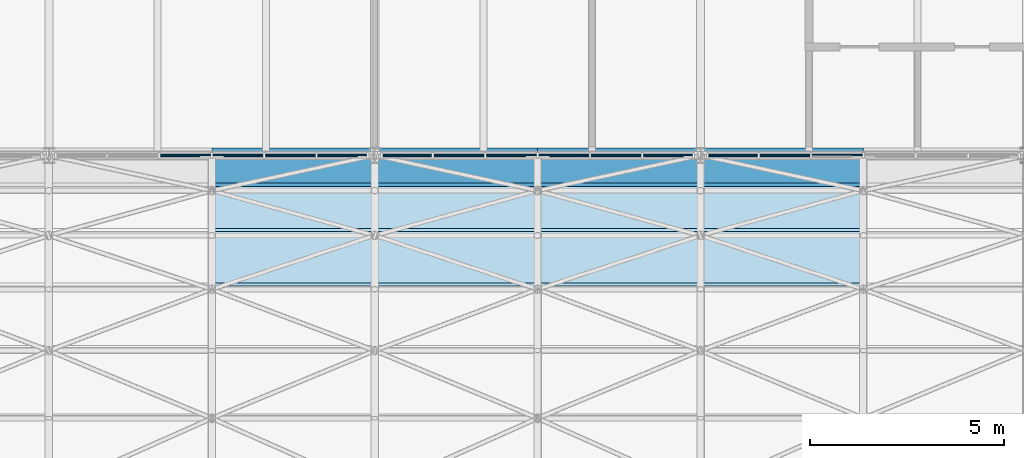
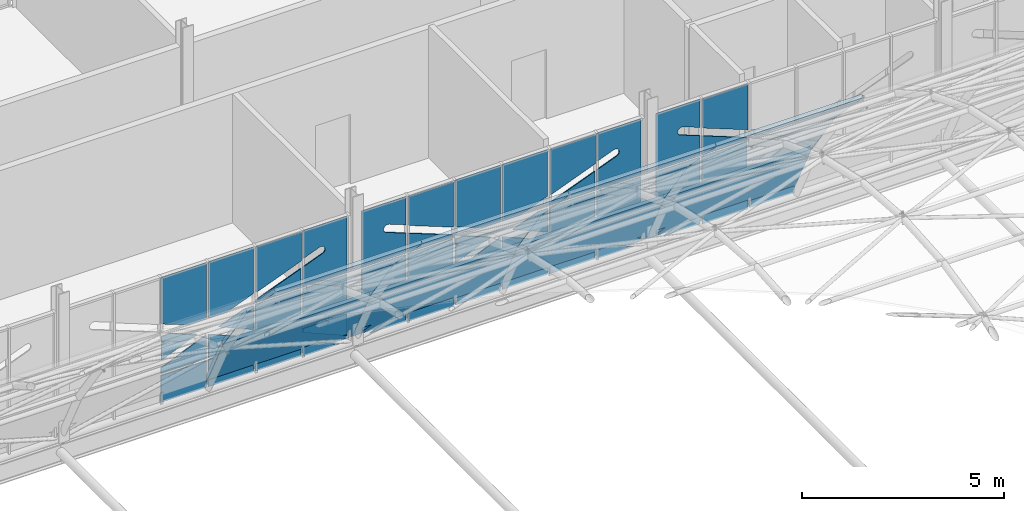
# One storey, part 74 of 121: 61 plates, 3 elements without a shape of their own.
"""IFC4 building model written with IfcOpenShell, lengths in metres."""

from ifc_helpers import new_model, si_unit, direction, frame, origin, place, context, subcontext, project, spatial, polyline, outline, extrude, material, layer, layer_set, type_object, element, aggregate, save


model = new_model("IFC4")

# Units and contexts
model_context = context("Model", 3, precision=1e-05, world=origin(), true_north=direction((0.0, 1.0)))
body_context = subcontext(model_context, "Body", "Model", "MODEL_VIEW")
ifc_project = project(units=[si_unit("LENGTHUNIT", "METRE"), si_unit("AREAUNIT", "SQUARE_METRE"), si_unit("VOLUMEUNIT", "CUBIC_METRE"), si_unit("PLANEANGLEUNIT", "RADIAN"), si_unit("MASSUNIT", "GRAM", prefix="KILO")], contexts=[model_context])

# Site, building, storey
site_placement = place(None, origin())
site = spatial("IfcSite", under=ifc_project, at=site_placement, CompositionType="ELEMENT")
building_placement = place(site_placement, origin())
building = spatial("IfcBuilding", under=site, at=building_placement, Name="Ardhachandra Cancer Care Centre", CompositionType="ELEMENT")
storey_placement = place(building_placement, frame((0.0, 0.0, 9.0)))
storey = spatial("IfcBuildingStorey", under=building, at=storey_placement, Name="L02", CompositionType="ELEMENT", Elevation=9.0)

# Curtain wall, plates
ifc_material_1 = material(Name="Aluminium extrusion", Category="aluminium")
ifc_layer_1 = layer(ifc_material_1, 0.14990234375)
ifc_layer_set_1 = layer_set([ifc_layer_1], Name="Aluminium extrusion")
curtain_wall_type = type_object("IfcCurtainWallType", Name="Curtain wall run", PredefinedType="NOTDEFINED", material=ifc_layer_set_1)
curtain_wall_1_placement = place(storey_placement, origin())
curtain_wall_1 = element("IfcCurtainWall", 1, at=curtain_wall_1_placement, inside=storey, type_object=curtain_wall_type, Name="Curtain wall L02 s/0052800_0079800", PredefinedType="NOTDEFINED")
ifc_material_2 = material(Name="Low-iron double-glazed unit")
ifc_layer_2 = layer(ifc_material_2, 0.028076171875)
ifc_layer_set_2 = layer_set([ifc_layer_2], Name="Low-iron double-glazed unit")
plate_type_1 = type_object("IfcPlateType", Name="Curtain wall glazing 28", PredefinedType="CURTAIN_PANEL", material=ifc_layer_set_2)
plate_1_placement = place(storey_placement, frame((55.679931640625, 79.800048828125, 0.06005859375), z_axis=(0.0, 1.0, 0.0), x_axis=(0.0, 0.0, 1.0)))
plate_1 = element("IfcPlate", 2, at=plate_1_placement, type_object=plate_type_1, Name="CW panel 3.1", PredefinedType="CURTAIN_PANEL", context=body_context, shape_type="SweptSolid", body=[
    extrude(outline(polyline([(0.0, 0.0), (0.81005859375, 0.0), (0.81005859375, 1.2900390625), (0.0, 1.2900390625), (0.0, 0.0)])), origin(), (0.0, 0.0, 1.0), 0.028076171875),
])
plate_2_placement = place(storey_placement, frame((56.969970703125, 79.800048828125, 0.929931640625), z_axis=(0.0, 1.0, 0.0), x_axis=(-1.0, 0.0, 0.0)))
plate_2 = element("IfcPlate", 3, at=plate_2_placement, type_object=plate_type_1, Name="CW panel 3.2", PredefinedType="CURTAIN_PANEL", context=body_context, shape_type="SweptSolid", body=[
    extrude(outline(polyline([(0.0, 0.0), (1.2900390625, 0.0), (1.2900390625, 0.16943359375), (0.0, 0.718994140625), (0.0, 0.0)])), origin(), (0.0, 0.0, 1.0), 0.028076171875),
])
plate_3_placement = place(storey_placement, frame((55.679931640625, 79.800048828125, 2.070068359375), z_axis=(0.0, 1.0, 0.0), x_axis=(1.0, 0.0, 0.0)))
plate_3 = element("IfcPlate", 4, at=plate_3_placement, type_object=plate_type_1, Name="CW panel 3.2", PredefinedType="CURTAIN_PANEL", context=body_context, shape_type="SweptSolid", body=[
    extrude(outline(polyline([(0.0, 0.0), (0.2763671875, 0.0), (1.009765625, 0.285888671875), (0.0, 0.716064453125), (0.0, 0.0)])), frame((0.0, 0.0, -0.028076171875)), (0.0, 0.0, 1.0), 0.028076171875),
])
plate_4_placement = place(storey_placement, frame((55.679931640625, 79.800048828125, 3.825927734375), z_axis=(0.0, 1.0, 0.0), x_axis=(1.0, 0.0, 0.0)))
plate_4 = element("IfcPlate", 5, at=plate_4_placement, type_object=plate_type_1, Name="CW panel 3.3", PredefinedType="CURTAIN_PANEL", context=body_context, shape_type="SweptSolid", body=[
    extrude(outline(polyline([(0.0, 0.0), (1.2900390625, 0.0), (1.2900390625, 1.696044921875), (0.767578125, 1.696044921875), (0.0, 1.396728515625), (0.0, 0.0)])), origin(), (0.0, 0.0, 1.0), 0.028076171875),
])
plate_5_placement = place(storey_placement, frame((57.030029296875, 79.800048828125, 0.06005859375), z_axis=(0.0, 1.0, 0.0), x_axis=(0.0, 0.0, 1.0)))
plate_5 = element("IfcPlate", 6, at=plate_5_placement, type_object=plate_type_1, Name="CW panel 4.1", PredefinedType="CURTAIN_PANEL", context=body_context, shape_type="SweptSolid", body=[
    extrude(outline(polyline([(0.0, 0.0), (0.81005859375, 0.0), (0.81005859375, 1.2900390625), (0.0, 1.2900390625), (0.0, 0.0)])), origin(), (0.0, 0.0, 1.0), 0.028076171875),
])
plate_6_placement = place(storey_placement, frame((58.320068359375, 79.800048828125, 0.929931640625), z_axis=(0.0, 1.0, 0.0), x_axis=(-1.0, 0.0, 0.0)))
plate_6 = element("IfcPlate", 7, at=plate_6_placement, type_object=plate_type_1, Name="CW panel 4.2", PredefinedType="CURTAIN_PANEL", context=body_context, shape_type="SweptSolid", body=[
    extrude(outline(polyline([(0.0, 0.0), (1.2900390625, 0.0), (1.2900390625, 0.718994140625), (0.0, 0.16943359375), (0.0, 0.0)])), origin(), (0.0, 0.0, 1.0), 0.028076171875),
])
plate_7_placement = place(storey_placement, frame((58.320068359375, 79.800048828125, 2.070068359375), z_axis=(0.0, 1.0, 0.0), x_axis=(0.0, 0.0, -1.0)))
plate_7 = element("IfcPlate", 8, at=plate_7_placement, type_object=plate_type_1, Name="CW panel 4.2", PredefinedType="CURTAIN_PANEL", context=body_context, shape_type="SweptSolid", body=[
    extrude(outline(polyline([(0.0, 0.0), (0.716064453125, 0.0), (0.285888671875, 1.009765625), (0.0, 0.2763671875), (0.0, 0.0)])), frame((0.0, 0.0, -0.028076171875)), (0.0, 0.0, 1.0), 0.028076171875),
])
plate_8_placement = place(storey_placement, frame((57.030029296875, 79.800048828125, 2.1298828125), z_axis=(0.0, 1.0, 0.0), x_axis=(0.0, 0.0, 1.0)))
plate_8 = element("IfcPlate", 9, at=plate_8_placement, type_object=plate_type_1, Name="CW panel 4.3", PredefinedType="CURTAIN_PANEL", context=body_context, shape_type="SweptSolid", body=[
    extrude(outline(polyline([(0.0, 0.0), (1.696044921875, 0.0), (1.696044921875, 1.2900390625), (0.29931640625, 1.2900390625), (0.0, 0.5224609375), (0.0, 0.0)])), origin(), (0.0, 0.0, 1.0), 0.028076171875),
])
plate_9_placement = place(storey_placement, frame((59.669921875, 79.800048828125, 0.06005859375), z_axis=(0.0, 1.0, 0.0), x_axis=(-1.0, 0.0, 0.0)))
plate_9 = element("IfcPlate", 10, at=plate_9_placement, type_object=plate_type_1, Name="CW panel 5.1", PredefinedType="CURTAIN_PANEL", context=body_context, shape_type="SweptSolid", body=[
    extrude(outline(polyline([(0.0, 0.0), (1.2900390625, 0.0), (1.2900390625, 0.81005859375), (0.8115234375, 0.81005859375), (0.0, 0.46435546875), (0.0, 0.0)])), origin(), (0.0, 0.0, 1.0), 0.028076171875),
])
plate_10_placement = place(storey_placement, frame((58.3798828125, 79.800048828125, 2.070068359375), z_axis=(0.0, 1.0, 0.0), x_axis=(1.0, 0.0, 0.0)))
plate_10 = element("IfcPlate", 11, at=plate_10_placement, type_object=plate_type_1, Name="CW panel 5.2", PredefinedType="CURTAIN_PANEL", context=body_context, shape_type="SweptSolid", body=[
    extrude(outline(polyline([(0.0, 0.0), (1.2900390625, 0.0), (1.2900390625, 1.14013671875), (0.935546875, 1.14013671875), (0.0, 0.74169921875), (0.0, 0.0)])), origin(), (0.0, 0.0, 1.0), 0.028076171875),
])
plate_11_placement = place(storey_placement, frame((59.669921875, 79.800048828125, 2.1298828125), z_axis=(0.0, 1.0, 0.0), x_axis=(-1.0, 0.0, 0.0)))
plate_11 = element("IfcPlate", 12, at=plate_11_placement, type_object=plate_type_1, Name="CW panel 5.3", PredefinedType="CURTAIN_PANEL", context=body_context, shape_type="SweptSolid", body=[
    extrude(outline(polyline([(0.0, 0.0), (1.2900390625, 0.0), (1.2900390625, 0.0712890625), (0.0, 0.573974609375), (0.0, 0.0)])), origin(), (0.0, 0.0, 1.0), 0.028076171875),
])
plate_12_placement = place(storey_placement, frame((58.3798828125, 79.800048828125, 3.825927734375), z_axis=(0.0, 1.0, 0.0), x_axis=(1.0, 0.0, 0.0)))
plate_12 = element("IfcPlate", 13, at=plate_12_placement, type_object=plate_type_1, Name="CW panel 5.3", PredefinedType="CURTAIN_PANEL", context=body_context, shape_type="SweptSolid", body=[
    extrude(outline(polyline([(0.0, 0.0), (1.2900390625, 0.0), (1.2900390625, 0.87060546875), (0.0, 1.373291015625), (0.0, 0.0)])), frame((0.0, 0.0, -0.028076171875)), (0.0, 0.0, 1.0), 0.028076171875),
])
plate_13_placement = place(storey_placement, frame((59.72998046875, 79.800048828125, 0.8701171875), z_axis=(0.0, 1.0, 0.0), x_axis=(1.0, 0.0, 0.0)))
plate_13 = element("IfcPlate", 14, at=plate_13_placement, type_object=plate_type_1, Name="CW panel 6.1", PredefinedType="CURTAIN_PANEL", context=body_context, shape_type="SweptSolid", body=[
    extrude(outline(polyline([(0.0, 0.0), (1.260009765625, 0.0), (1.260009765625, 0.6533203125), (0.0, 0.11669921875), (0.0, 0.0)])), origin(), (0.0, 0.0, 1.0), 0.028076171875),
])
plate_14_placement = place(storey_placement, frame((59.72998046875, 79.800048828125, 0.06005859375), z_axis=(0.0, 1.0, 0.0), x_axis=(0.0, 0.0, 1.0)))
plate_14 = element("IfcPlate", 15, at=plate_14_placement, type_object=plate_type_1, Name="CW panel 6.1", PredefinedType="CURTAIN_PANEL", context=body_context, shape_type="SweptSolid", body=[
    extrude(outline(polyline([(0.0, 0.0), (0.438720703125, 0.0), (0.0, 1.0302734375), (0.0, 0.0)])), frame((0.0, 0.0, -0.028076171875)), (0.0, 0.0, 1.0), 0.028076171875),
])
plate_15_placement = place(storey_placement, frame((59.72998046875, 79.800048828125, 0.929931640625), z_axis=(0.0, 1.0, 0.0), x_axis=(0.0, 0.0, 1.0)))
plate_15 = element("IfcPlate", 16, at=plate_15_placement, type_object=plate_type_1, Name="CW panel 6.2", PredefinedType="CURTAIN_PANEL", context=body_context, shape_type="SweptSolid", body=[
    extrude(outline(polyline([(0.0, 0.0), (1.14013671875, 0.0), (1.14013671875, 1.260009765625), (0.0, 1.260009765625), (0.0, 0.0)])), origin(), (0.0, 0.0, 1.0), 0.028076171875),
])
plate_16_placement = place(storey_placement, frame((59.72998046875, 79.800048828125, 3.825927734375), z_axis=(0.0, 1.0, 0.0), x_axis=(1.0, 0.0, 0.0)))
plate_16 = element("IfcPlate", 17, at=plate_16_placement, type_object=plate_type_1, Name="CW panel 6.3", PredefinedType="CURTAIN_PANEL", context=body_context, shape_type="SweptSolid", body=[
    extrude(outline(polyline([(0.0, 0.0), (1.260009765625, 0.0), (1.260009765625, 1.696044921875), (0.0, 1.696044921875), (0.0, 1.0986328125), (0.572021484375, 0.875), (0.59130859375, 0.86279296875), (0.614990234375, 0.837646484375), (0.63037109375, 0.806884765625), (0.63623046875, 0.77294921875), (0.63427734375, 0.750244140625), (0.628173828125, 0.72802734375), (0.61767578125, 0.70751953125), (0.603515625, 0.689453125), (0.576416015625, 0.66845703125), (0.555419921875, 0.6591796875), (0.532958984375, 0.654296875), (0.510009765625, 0.65380859375), (0.4765625, 0.661376953125), (0.0, 0.84716796875), (0.0, 0.0)])), origin(), (0.0, 0.0, 1.0), 0.028076171875),
])
aggregate(curtain_wall_1, [plate_1, plate_2, plate_3, plate_4, plate_5, plate_6, plate_7, plate_8, plate_9, plate_10, plate_11, plate_12, plate_13, plate_14, plate_15, plate_16])

curtain_wall_2_placement = place(storey_placement, origin())
curtain_wall_2 = element("IfcCurtainWall", 18, at=curtain_wall_2_placement, inside=storey, type_object=curtain_wall_type, Name="Curtain wall L02 s/0061200_0079800", PredefinedType="NOTDEFINED")
plate_17_placement = place(storey_placement, frame((62.669921875, 79.800048828125, 0.06005859375), z_axis=(0.0, 1.0, 0.0), x_axis=(-1.0, 0.0, 0.0)))
plate_17 = element("IfcPlate", 19, at=plate_17_placement, type_object=plate_type_1, Name="CW panel 1.1", PredefinedType="CURTAIN_PANEL", context=body_context, shape_type="SweptSolid", body=[
    extrude(outline(polyline([(0.0, 0.0), (1.030029296875, 0.0), (0.0, 0.438720703125), (0.0, 0.0)])), origin(), (0.0, 0.0, 1.0), 0.028076171875),
])
plate_18_placement = place(storey_placement, frame((61.409912109375, 79.800048828125, 0.8701171875), z_axis=(0.0, 1.0, 0.0), x_axis=(1.0, 0.0, 0.0)))
plate_18 = element("IfcPlate", 20, at=plate_18_placement, type_object=plate_type_1, Name="CW panel 1.1", PredefinedType="CURTAIN_PANEL", context=body_context, shape_type="SweptSolid", body=[
    extrude(outline(polyline([(0.0, 0.0), (1.260009765625, 0.0), (1.260009765625, 0.11669921875), (0.0, 0.6533203125), (0.0, 0.0)])), frame((0.0, 0.0, -0.028076171875)), (0.0, 0.0, 1.0), 0.028076171875),
])
plate_19_placement = place(storey_placement, frame((61.409912109375, 79.800048828125, 0.929931640625), z_axis=(0.0, 1.0, 0.0), x_axis=(0.0, 0.0, 1.0)))
plate_19 = element("IfcPlate", 21, at=plate_19_placement, type_object=plate_type_1, Name="CW panel 1.2", PredefinedType="CURTAIN_PANEL", context=body_context, shape_type="SweptSolid", body=[
    extrude(outline(polyline([(0.0, 0.0), (1.14013671875, 0.0), (1.14013671875, 1.260009765625), (0.0, 1.260009765625), (0.0, 0.0)])), origin(), (0.0, 0.0, 1.0), 0.028076171875),
])
plate_20_placement = place(storey_placement, frame((62.669921875, 79.800048828125, 2.1298828125), z_axis=(0.0, 1.0, 0.0), x_axis=(-1.0, 0.0, 0.0)))
plate_20 = element("IfcPlate", 22, at=plate_20_placement, type_object=plate_type_1, Name="CW panel 1.3", PredefinedType="CURTAIN_PANEL", context=body_context, shape_type="SweptSolid", body=[
    extrude(outline(polyline([(0.0, 0.0), (1.260009765625, 0.0), (1.260009765625, 1.696044921875), (0.0, 1.696044921875), (0.0, 0.848876953125), (0.476318359375, 1.03466796875), (0.510009765625, 1.042236328125), (0.532958984375, 1.041748046875), (0.55517578125, 1.036865234375), (0.576416015625, 1.027587890625), (0.603515625, 1.006591796875), (0.61767578125, 0.988525390625), (0.628173828125, 0.968017578125), (0.63427734375, 0.94580078125), (0.635986328125, 0.923095703125), (0.63037109375, 0.88916015625), (0.62109375, 0.8681640625), (0.60009765625, 0.8408203125), (0.572021484375, 0.821044921875), (0.0, 0.597412109375), (0.0, 0.0)])), origin(), (0.0, 0.0, 1.0), 0.028076171875),
])
plate_21_placement = place(storey_placement, frame((64.02001953125, 79.800048828125, 0.8701171875), z_axis=(0.0, 1.0, 0.0), x_axis=(0.0, 0.0, -1.0)))
plate_21 = element("IfcPlate", 23, at=plate_21_placement, type_object=plate_type_1, Name="CW panel 2.1", PredefinedType="CURTAIN_PANEL", context=body_context, shape_type="SweptSolid", body=[
    extrude(outline(polyline([(0.0, 0.0), (0.81005859375, 0.0), (0.81005859375, 1.2900390625), (0.345703125, 1.2900390625), (0.0, 0.478515625), (0.0, 0.0)])), frame((0.0, 0.0, -0.028076171875)), (0.0, 0.0, 1.0), 0.028076171875),
])
plate_22_placement = place(storey_placement, frame((62.72998046875, 79.800048828125, 0.929931640625), z_axis=(0.0, 1.0, 0.0), x_axis=(0.0, 0.0, 1.0)))
plate_22 = element("IfcPlate", 24, at=plate_22_placement, type_object=plate_type_1, Name="CW panel 2.2", PredefinedType="CURTAIN_PANEL", context=body_context, shape_type="SweptSolid", body=[
    extrude(outline(polyline([(0.0, 0.0), (1.14013671875, 0.0), (1.14013671875, 1.2900390625), (0.3984375, 1.2900390625), (0.0, 0.3544921875), (0.0, 0.0)])), origin(), (0.0, 0.0, 1.0), 0.028076171875),
])
plate_23_placement = place(storey_placement, frame((64.02001953125, 79.800048828125, 2.1298828125), z_axis=(0.0, 1.0, 0.0), x_axis=(-1.0, 0.0, 0.0)))
plate_23 = element("IfcPlate", 25, at=plate_23_placement, type_object=plate_type_1, Name="CW panel 2.3", PredefinedType="CURTAIN_PANEL", context=body_context, shape_type="SweptSolid", body=[
    extrude(outline(polyline([(0.0, 0.0), (1.2900390625, 0.0), (1.2900390625, 0.573974609375), (0.0, 0.0712890625), (0.0, 0.0)])), origin(), (0.0, 0.0, 1.0), 0.028076171875),
])
plate_24_placement = place(storey_placement, frame((62.72998046875, 79.800048828125, 3.825927734375), z_axis=(0.0, 1.0, 0.0), x_axis=(1.0, 0.0, 0.0)))
plate_24 = element("IfcPlate", 26, at=plate_24_placement, type_object=plate_type_1, Name="CW panel 2.3", PredefinedType="CURTAIN_PANEL", context=body_context, shape_type="SweptSolid", body=[
    extrude(outline(polyline([(0.0, 0.0), (1.2900390625, 0.0), (1.2900390625, 1.373291015625), (0.0, 0.87060546875), (0.0, 0.0)])), frame((0.0, 0.0, -0.028076171875)), (0.0, 0.0, 1.0), 0.028076171875),
])
plate_25_placement = place(storey_placement, frame((64.080078125, 79.800048828125, 0.06005859375), z_axis=(0.0, 1.0, 0.0), x_axis=(0.0, 0.0, 1.0)))
plate_25 = element("IfcPlate", 27, at=plate_25_placement, type_object=plate_type_1, Name="CW panel 3.1", PredefinedType="CURTAIN_PANEL", context=body_context, shape_type="SweptSolid", body=[
    extrude(outline(polyline([(0.0, 0.0), (0.81005859375, 0.0), (0.81005859375, 1.2900390625), (0.0, 1.2900390625), (0.0, 0.0)])), origin(), (0.0, 0.0, 1.0), 0.028076171875),
])
plate_26_placement = place(storey_placement, frame((65.3701171875, 79.800048828125, 0.929931640625), z_axis=(0.0, 1.0, 0.0), x_axis=(-1.0, 0.0, 0.0)))
plate_26 = element("IfcPlate", 28, at=plate_26_placement, type_object=plate_type_1, Name="CW panel 3.2", PredefinedType="CURTAIN_PANEL", context=body_context, shape_type="SweptSolid", body=[
    extrude(outline(polyline([(0.0, 0.0), (1.2900390625, 0.0), (1.2900390625, 0.16943359375), (0.0, 0.718994140625), (0.0, 0.0)])), origin(), (0.0, 0.0, 1.0), 0.028076171875),
])
plate_27_placement = place(storey_placement, frame((64.080078125, 79.800048828125, 2.070068359375), z_axis=(0.0, 1.0, 0.0), x_axis=(1.0, 0.0, 0.0)))
plate_27 = element("IfcPlate", 29, at=plate_27_placement, type_object=plate_type_1, Name="CW panel 3.2", PredefinedType="CURTAIN_PANEL", context=body_context, shape_type="SweptSolid", body=[
    extrude(outline(polyline([(0.0, 0.0), (0.276123046875, 0.0), (1.009765625, 0.285888671875), (0.0, 0.716064453125), (0.0, 0.0)])), frame((0.0, 0.0, -0.028076171875)), (0.0, 0.0, 1.0), 0.028076171875),
])
plate_28_placement = place(storey_placement, frame((64.080078125, 79.800048828125, 3.825927734375), z_axis=(0.0, 1.0, 0.0), x_axis=(1.0, 0.0, 0.0)))
plate_28 = element("IfcPlate", 30, at=plate_28_placement, type_object=plate_type_1, Name="CW panel 3.3", PredefinedType="CURTAIN_PANEL", context=body_context, shape_type="SweptSolid", body=[
    extrude(outline(polyline([(0.0, 0.0), (1.2900390625, 0.0), (1.2900390625, 1.696044921875), (0.767333984375, 1.696044921875), (0.0, 1.396728515625), (0.0, 0.0)])), origin(), (0.0, 0.0, 1.0), 0.028076171875),
])
plate_29_placement = place(storey_placement, frame((65.429931640625, 79.800048828125, 0.06005859375), z_axis=(0.0, 1.0, 0.0), x_axis=(0.0, 0.0, 1.0)))
plate_29 = element("IfcPlate", 31, at=plate_29_placement, type_object=plate_type_1, Name="CW panel 4.1", PredefinedType="CURTAIN_PANEL", context=body_context, shape_type="SweptSolid", body=[
    extrude(outline(polyline([(0.0, 0.0), (0.81005859375, 0.0), (0.81005859375, 1.2900390625), (0.0, 1.2900390625), (0.0, 0.0)])), origin(), (0.0, 0.0, 1.0), 0.028076171875),
])
plate_30_placement = place(storey_placement, frame((66.719970703125, 79.800048828125, 0.929931640625), z_axis=(0.0, 1.0, 0.0), x_axis=(-1.0, 0.0, 0.0)))
plate_30 = element("IfcPlate", 32, at=plate_30_placement, type_object=plate_type_1, Name="CW panel 4.2", PredefinedType="CURTAIN_PANEL", context=body_context, shape_type="SweptSolid", body=[
    extrude(outline(polyline([(0.0, 0.0), (1.2900390625, 0.0), (1.2900390625, 0.718994140625), (0.0, 0.16943359375), (0.0, 0.0)])), origin(), (0.0, 0.0, 1.0), 0.028076171875),
])
plate_31_placement = place(storey_placement, frame((66.719970703125, 79.800048828125, 2.070068359375), z_axis=(0.0, 1.0, 0.0), x_axis=(0.0, 0.0, -1.0)))
plate_31 = element("IfcPlate", 33, at=plate_31_placement, type_object=plate_type_1, Name="CW panel 4.2", PredefinedType="CURTAIN_PANEL", context=body_context, shape_type="SweptSolid", body=[
    extrude(outline(polyline([(0.0, 0.0), (0.716064453125, 0.0), (0.285888671875, 1.009765625), (0.0, 0.2763671875), (0.0, 0.0)])), frame((0.0, 0.0, -0.028076171875)), (0.0, 0.0, 1.0), 0.028076171875),
])
plate_32_placement = place(storey_placement, frame((65.429931640625, 79.800048828125, 2.1298828125), z_axis=(0.0, 1.0, 0.0), x_axis=(0.0, 0.0, 1.0)))
plate_32 = element("IfcPlate", 34, at=plate_32_placement, type_object=plate_type_1, Name="CW panel 4.3", PredefinedType="CURTAIN_PANEL", context=body_context, shape_type="SweptSolid", body=[
    extrude(outline(polyline([(0.0, 0.0), (1.696044921875, 0.0), (1.696044921875, 1.2900390625), (0.29931640625, 1.2900390625), (0.0, 0.5224609375), (0.0, 0.0)])), origin(), (0.0, 0.0, 1.0), 0.028076171875),
])
plate_33_placement = place(storey_placement, frame((68.070068359375, 79.800048828125, 0.06005859375), z_axis=(0.0, 1.0, 0.0), x_axis=(-1.0, 0.0, 0.0)))
plate_33 = element("IfcPlate", 35, at=plate_33_placement, type_object=plate_type_1, Name="CW panel 5.1", PredefinedType="CURTAIN_PANEL", context=body_context, shape_type="SweptSolid", body=[
    extrude(outline(polyline([(0.0, 0.0), (1.2900390625, 0.0), (1.2900390625, 0.81005859375), (0.8115234375, 0.81005859375), (0.0, 0.46435546875), (0.0, 0.0)])), origin(), (0.0, 0.0, 1.0), 0.028076171875),
])
plate_34_placement = place(storey_placement, frame((66.780029296875, 79.800048828125, 2.070068359375), z_axis=(0.0, 1.0, 0.0), x_axis=(1.0, 0.0, 0.0)))
plate_34 = element("IfcPlate", 36, at=plate_34_placement, type_object=plate_type_1, Name="CW panel 5.2", PredefinedType="CURTAIN_PANEL", context=body_context, shape_type="SweptSolid", body=[
    extrude(outline(polyline([(0.0, 0.0), (1.2900390625, 0.0), (1.2900390625, 1.14013671875), (0.935546875, 1.14013671875), (0.0, 0.74169921875), (0.0, 0.0)])), origin(), (0.0, 0.0, 1.0), 0.028076171875),
])
plate_35_placement = place(storey_placement, frame((68.070068359375, 79.800048828125, 2.1298828125), z_axis=(0.0, 1.0, 0.0), x_axis=(-1.0, 0.0, 0.0)))
plate_35 = element("IfcPlate", 37, at=plate_35_placement, type_object=plate_type_1, Name="CW panel 5.3", PredefinedType="CURTAIN_PANEL", context=body_context, shape_type="SweptSolid", body=[
    extrude(outline(polyline([(0.0, 0.0), (1.2900390625, 0.0), (1.2900390625, 0.0712890625), (0.0, 0.573974609375), (0.0, 0.0)])), origin(), (0.0, 0.0, 1.0), 0.028076171875),
])
plate_36_placement = place(storey_placement, frame((66.780029296875, 79.800048828125, 3.825927734375), z_axis=(0.0, 1.0, 0.0), x_axis=(1.0, 0.0, 0.0)))
plate_36 = element("IfcPlate", 38, at=plate_36_placement, type_object=plate_type_1, Name="CW panel 5.3", PredefinedType="CURTAIN_PANEL", context=body_context, shape_type="SweptSolid", body=[
    extrude(outline(polyline([(0.0, 0.0), (1.2900390625, 0.0), (1.2900390625, 0.87060546875), (0.0, 1.373291015625), (0.0, 0.0)])), frame((0.0, 0.0, -0.028076171875)), (0.0, 0.0, 1.0), 0.028076171875),
])
plate_37_placement = place(storey_placement, frame((68.1298828125, 79.800048828125, 0.8701171875), z_axis=(0.0, 1.0, 0.0), x_axis=(1.0, 0.0, 0.0)))
plate_37 = element("IfcPlate", 39, at=plate_37_placement, type_object=plate_type_1, Name="CW panel 6.1", PredefinedType="CURTAIN_PANEL", context=body_context, shape_type="SweptSolid", body=[
    extrude(outline(polyline([(0.0, 0.0), (1.260009765625, 0.0), (1.260009765625, 0.6533203125), (0.0, 0.11669921875), (0.0, 0.0)])), origin(), (0.0, 0.0, 1.0), 0.028076171875),
])
plate_38_placement = place(storey_placement, frame((68.1298828125, 79.800048828125, 0.06005859375), z_axis=(0.0, 1.0, 0.0), x_axis=(0.0, 0.0, 1.0)))
plate_38 = element("IfcPlate", 40, at=plate_38_placement, type_object=plate_type_1, Name="CW panel 6.1", PredefinedType="CURTAIN_PANEL", context=body_context, shape_type="SweptSolid", body=[
    extrude(outline(polyline([(0.0, 0.0), (0.438720703125, 0.0), (0.0, 1.0302734375), (0.0, 0.0)])), frame((0.0, 0.0, -0.028076171875)), (0.0, 0.0, 1.0), 0.028076171875),
])
plate_39_placement = place(storey_placement, frame((68.1298828125, 79.800048828125, 0.929931640625), z_axis=(0.0, 1.0, 0.0), x_axis=(0.0, 0.0, 1.0)))
plate_39 = element("IfcPlate", 41, at=plate_39_placement, type_object=plate_type_1, Name="CW panel 6.2", PredefinedType="CURTAIN_PANEL", context=body_context, shape_type="SweptSolid", body=[
    extrude(outline(polyline([(0.0, 0.0), (1.14013671875, 0.0), (1.14013671875, 1.260009765625), (0.0, 1.260009765625), (0.0, 0.0)])), origin(), (0.0, 0.0, 1.0), 0.028076171875),
])
plate_40_placement = place(storey_placement, frame((68.1298828125, 79.800048828125, 3.825927734375), z_axis=(0.0, 1.0, 0.0), x_axis=(1.0, 0.0, 0.0)))
plate_40 = element("IfcPlate", 42, at=plate_40_placement, type_object=plate_type_1, Name="CW panel 6.3", PredefinedType="CURTAIN_PANEL", context=body_context, shape_type="SweptSolid", body=[
    extrude(outline(polyline([(0.0, 0.0), (1.260009765625, 0.0), (1.260009765625, 1.696044921875), (0.0, 1.696044921875), (0.0, 1.0986328125), (0.572265625, 0.875), (0.60009765625, 0.855224609375), (0.621337890625, 0.827880859375), (0.633544921875, 0.7958984375), (0.63623046875, 0.77294921875), (0.634521484375, 0.750244140625), (0.628173828125, 0.72802734375), (0.617919921875, 0.70751953125), (0.603759765625, 0.689453125), (0.586181640625, 0.674560546875), (0.555419921875, 0.6591796875), (0.532958984375, 0.654296875), (0.510009765625, 0.65380859375), (0.4765625, 0.661376953125), (0.0, 0.84716796875), (0.0, 0.0)])), origin(), (0.0, 0.0, 1.0), 0.028076171875),
])
aggregate(curtain_wall_2, [plate_17, plate_18, plate_19, plate_20, plate_21, plate_22, plate_23, plate_24, plate_25, plate_26, plate_27, plate_28, plate_29, plate_30, plate_31, plate_32, plate_33, plate_34, plate_35, plate_36, plate_37, plate_38, plate_39, plate_40])

curtain_wall_3_placement = place(storey_placement, origin())
curtain_wall_3 = element("IfcCurtainWall", 43, at=curtain_wall_3_placement, inside=storey, type_object=curtain_wall_type, Name="Curtain wall L02 s/0069600_0079800", PredefinedType="NOTDEFINED")
plate_41_placement = place(storey_placement, frame((71.070068359375, 79.800048828125, 0.06005859375), z_axis=(0.0, 1.0, 0.0), x_axis=(-1.0, 0.0, 0.0)))
plate_41 = element("IfcPlate", 44, at=plate_41_placement, type_object=plate_type_1, Name="CW panel 1.1", PredefinedType="CURTAIN_PANEL", context=body_context, shape_type="SweptSolid", body=[
    extrude(outline(polyline([(0.0, 0.0), (1.0302734375, 0.0), (0.0, 0.438720703125), (0.0, 0.0)])), origin(), (0.0, 0.0, 1.0), 0.028076171875),
])
plate_42_placement = place(storey_placement, frame((69.81005859375, 79.800048828125, 0.8701171875), z_axis=(0.0, 1.0, 0.0), x_axis=(1.0, 0.0, 0.0)))
plate_42 = element("IfcPlate", 45, at=plate_42_placement, type_object=plate_type_1, Name="CW panel 1.1", PredefinedType="CURTAIN_PANEL", context=body_context, shape_type="SweptSolid", body=[
    extrude(outline(polyline([(0.0, 0.0), (1.260009765625, 0.0), (1.260009765625, 0.11669921875), (0.0, 0.6533203125), (0.0, 0.0)])), frame((0.0, 0.0, -0.028076171875)), (0.0, 0.0, 1.0), 0.028076171875),
])
plate_43_placement = place(storey_placement, frame((69.81005859375, 79.800048828125, 0.929931640625), z_axis=(0.0, 1.0, 0.0), x_axis=(0.0, 0.0, 1.0)))
plate_43 = element("IfcPlate", 46, at=plate_43_placement, type_object=plate_type_1, Name="CW panel 1.2", PredefinedType="CURTAIN_PANEL", context=body_context, shape_type="SweptSolid", body=[
    extrude(outline(polyline([(0.0, 0.0), (1.14013671875, 0.0), (1.14013671875, 1.260009765625), (0.0, 1.260009765625), (0.0, 0.0)])), origin(), (0.0, 0.0, 1.0), 0.028076171875),
])
plate_44_placement = place(storey_placement, frame((71.070068359375, 79.800048828125, 2.1298828125), z_axis=(0.0, 1.0, 0.0), x_axis=(-1.0, 0.0, 0.0)))
plate_44 = element("IfcPlate", 47, at=plate_44_placement, type_object=plate_type_1, Name="CW panel 1.3", PredefinedType="CURTAIN_PANEL", context=body_context, shape_type="SweptSolid", body=[
    extrude(outline(polyline([(0.0, 0.0), (1.260009765625, 0.0), (1.260009765625, 1.696044921875), (0.0, 1.696044921875), (0.0, 0.848876953125), (0.4765625, 1.03466796875), (0.510009765625, 1.042236328125), (0.532958984375, 1.041748046875), (0.555419921875, 1.036865234375), (0.576416015625, 1.027587890625), (0.603515625, 1.006591796875), (0.617919921875, 0.988525390625), (0.628173828125, 0.968017578125), (0.634521484375, 0.94580078125), (0.63623046875, 0.923095703125), (0.63037109375, 0.88916015625), (0.62109375, 0.8681640625), (0.60009765625, 0.8408203125), (0.572021484375, 0.821044921875), (0.0, 0.597412109375), (0.0, 0.0)])), origin(), (0.0, 0.0, 1.0), 0.028076171875),
])
plate_45_placement = place(storey_placement, frame((72.419921875, 79.800048828125, 0.8701171875), z_axis=(0.0, 1.0, 0.0), x_axis=(0.0, 0.0, -1.0)))
plate_45 = element("IfcPlate", 48, at=plate_45_placement, type_object=plate_type_1, Name="CW panel 2.1", PredefinedType="CURTAIN_PANEL", context=body_context, shape_type="SweptSolid", body=[
    extrude(outline(polyline([(0.0, 0.0), (0.81005859375, 0.0), (0.81005859375, 1.2900390625), (0.345703125, 1.2900390625), (0.0, 0.478515625), (0.0, 0.0)])), frame((0.0, 0.0, -0.028076171875)), (0.0, 0.0, 1.0), 0.028076171875),
])
plate_46_placement = place(storey_placement, frame((71.1298828125, 79.800048828125, 0.929931640625), z_axis=(0.0, 1.0, 0.0), x_axis=(0.0, 0.0, 1.0)))
plate_46 = element("IfcPlate", 49, at=plate_46_placement, type_object=plate_type_1, Name="CW panel 2.2", PredefinedType="CURTAIN_PANEL", context=body_context, shape_type="SweptSolid", body=[
    extrude(outline(polyline([(0.0, 0.0), (1.14013671875, 0.0), (1.14013671875, 1.2900390625), (0.3984375, 1.2900390625), (0.0, 0.3544921875), (0.0, 0.0)])), origin(), (0.0, 0.0, 1.0), 0.028076171875),
])
plate_47_placement = place(storey_placement, frame((72.419921875, 79.800048828125, 2.1298828125), z_axis=(0.0, 1.0, 0.0), x_axis=(-1.0, 0.0, 0.0)))
plate_47 = element("IfcPlate", 50, at=plate_47_placement, type_object=plate_type_1, Name="CW panel 2.3", PredefinedType="CURTAIN_PANEL", context=body_context, shape_type="SweptSolid", body=[
    extrude(outline(polyline([(0.0, 0.0), (1.2900390625, 0.0), (1.2900390625, 0.573974609375), (0.0, 0.0712890625), (0.0, 0.0)])), origin(), (0.0, 0.0, 1.0), 0.028076171875),
])
plate_48_placement = place(storey_placement, frame((71.1298828125, 79.800048828125, 3.825927734375), z_axis=(0.0, 1.0, 0.0), x_axis=(1.0, 0.0, 0.0)))
plate_48 = element("IfcPlate", 51, at=plate_48_placement, type_object=plate_type_1, Name="CW panel 2.3", PredefinedType="CURTAIN_PANEL", context=body_context, shape_type="SweptSolid", body=[
    extrude(outline(polyline([(0.0, 0.0), (1.2900390625, 0.0), (1.2900390625, 1.373291015625), (0.0, 0.87060546875), (0.0, 0.0)])), frame((0.0, 0.0, -0.028076171875)), (0.0, 0.0, 1.0), 0.028076171875),
])
plate_49_placement = place(storey_placement, frame((72.47998046875, 79.800048828125, 0.06005859375), z_axis=(0.0, 1.0, 0.0), x_axis=(0.0, 0.0, 1.0)))
plate_49 = element("IfcPlate", 52, at=plate_49_placement, type_object=plate_type_1, Name="CW panel 3.1", PredefinedType="CURTAIN_PANEL", context=body_context, shape_type="SweptSolid", body=[
    extrude(outline(polyline([(0.0, 0.0), (0.81005859375, 0.0), (0.81005859375, 1.2900390625), (0.0, 1.2900390625), (0.0, 0.0)])), origin(), (0.0, 0.0, 1.0), 0.028076171875),
])
aggregate(curtain_wall_3, [plate_41, plate_42, plate_43, plate_44, plate_45, plate_46, plate_47, plate_48, plate_49])

# Plates
ifc_material_3 = material(Name="Insulated metal roof panel (galvalume skins, PIR core)")
ifc_layer_3 = layer(ifc_material_3, 0.10009765625)
ifc_layer_set_3 = layer_set([ifc_layer_3], Name="Insulated metal roof panel (galvalume skins, PIR core)")
plate_type_2 = type_object("IfcPlateType", Name="Gridshell insulated panel 100", PredefinedType="SHEET", material=ifc_layer_set_3)
plate_50_placement = place(storey_placement, frame((57.0, 76.44189453125, 4.96044921875), z_axis=(0.0, 0.723236652239, 0.690600278641), x_axis=(1.0, 0.0, 0.0)))
element("IfcPlate", 53, at=plate_50_placement, inside=storey, type_object=plate_type_2, Name="Roof cell H 4.14", PredefinedType="SHEET", context=body_context, shape_type="SweptSolid", body=[
    extrude(outline(polyline([(0.0, 0.0), (4.199951171875, 0.0), (4.199951171875, 2.0048828125), (0.0, 2.0048828125), (0.0, 0.0)])), origin(), (0.0, 0.0, 1.0), 0.10009765625),
])
for number, where, z_axis, x_axis, name in (
    (54, (57.0, 77.837890625, 3.49658203125), (0.0, 0.816660624076, 0.577118207202), (1.0, 0.0, 0.0), "Roof cell H 4.15"),
    (55, (57.0, 79.004150390625, 1.843994140625), (0.0, 0.892298140355, 0.451446595645), (1.0, 0.0, 0.0), "Roof cell H 4.16"),
):
    element("IfcPlate", number, at=place(storey_placement, frame(where, z_axis=z_axis, x_axis=x_axis)), inside=storey, type_object=plate_type_2, Name=name, PredefinedType="SHEET", context=body_context, shape_type="SweptSolid", body=[
        extrude(outline(polyline([(0.0, 0.0), (4.199951171875, 0.0), (4.199951171875, 2.004638671875), (0.0, 2.004638671875), (0.0, 0.0)])), origin(), (0.0, 0.0, 1.0), 0.10009765625),
    ])
plate_51_placement = place(storey_placement, frame((61.199951171875, 76.44189453125, 4.96044921875), z_axis=(0.0, 0.723236652239, 0.690600278641), x_axis=(1.0, 0.0, 0.0)))
element("IfcPlate", 56, at=plate_51_placement, inside=storey, type_object=plate_type_2, Name="Roof cell H 5.14", PredefinedType="SHEET", context=body_context, shape_type="SweptSolid", body=[
    extrude(outline(polyline([(0.0, 0.0), (4.199951171875, 0.0), (4.199951171875, 2.0048828125), (0.0, 2.0048828125), (0.0, 0.0)])), origin(), (0.0, 0.0, 1.0), 0.10009765625),
])
for number, where, z_axis, x_axis, name in (
    (57, (61.199951171875, 77.837890625, 3.49658203125), (0.0, 0.816660624076, 0.577118207202), (1.0, 0.0, 0.0), "Roof cell H 5.15"),
    (58, (61.199951171875, 79.004150390625, 1.843994140625), (0.0, 0.892298140355, 0.451446595645), (1.0, 0.0, 0.0), "Roof cell H 5.16"),
):
    element("IfcPlate", number, at=place(storey_placement, frame(where, z_axis=z_axis, x_axis=x_axis)), inside=storey, type_object=plate_type_2, Name=name, PredefinedType="SHEET", context=body_context, shape_type="SweptSolid", body=[
        extrude(outline(polyline([(0.0, 0.0), (4.199951171875, 0.0), (4.199951171875, 2.004638671875), (0.0, 2.004638671875), (0.0, 0.0)])), origin(), (0.0, 0.0, 1.0), 0.10009765625),
    ])
plate_52_placement = place(storey_placement, frame((65.39990234375, 76.44189453125, 4.96044921875), z_axis=(0.0, 0.723236652239, 0.690600278641), x_axis=(1.0, 0.0, 0.0)))
element("IfcPlate", 59, at=plate_52_placement, inside=storey, type_object=plate_type_2, Name="Roof cell H 6.14", PredefinedType="SHEET", context=body_context, shape_type="SweptSolid", body=[
    extrude(outline(polyline([(0.0, 0.0), (4.2001953125, 0.0), (4.2001953125, 2.0048828125), (0.0, 2.0048828125), (0.0, 0.0)])), origin(), (0.0, 0.0, 1.0), 0.10009765625),
])
for number, where, z_axis, x_axis, name in (
    (60, (65.39990234375, 77.837890625, 3.49658203125), (0.0, 0.816660624076, 0.577118207202), (1.0, 0.0, 0.0), "Roof cell H 6.15"),
    (61, (65.39990234375, 79.004150390625, 1.843994140625), (0.0, 0.892298140355, 0.451446595645), (1.0, 0.0, 0.0), "Roof cell H 6.16"),
):
    element("IfcPlate", number, at=place(storey_placement, frame(where, z_axis=z_axis, x_axis=x_axis)), inside=storey, type_object=plate_type_2, Name=name, PredefinedType="SHEET", context=body_context, shape_type="SweptSolid", body=[
        extrude(outline(polyline([(0.0, 0.0), (4.2001953125, 0.0), (4.2001953125, 2.004638671875), (0.0, 2.004638671875), (0.0, 0.0)])), origin(), (0.0, 0.0, 1.0), 0.10009765625),
    ])
plate_53_placement = place(storey_placement, frame((69.60009765625, 76.44189453125, 4.96044921875), z_axis=(0.0, 0.723236652239, 0.690600278641), x_axis=(1.0, 0.0, 0.0)))
element("IfcPlate", 62, at=plate_53_placement, inside=storey, type_object=plate_type_2, Name="Roof cell H 7.14", PredefinedType="SHEET", context=body_context, shape_type="SweptSolid", body=[
    extrude(outline(polyline([(0.0, 0.0), (4.199951171875, 0.0), (4.199951171875, 2.0048828125), (0.0, 2.0048828125), (0.0, 0.0)])), origin(), (0.0, 0.0, 1.0), 0.10009765625),
])
for number, where, z_axis, x_axis, name in (
    (63, (69.60009765625, 77.837890625, 3.49658203125), (0.0, 0.816660624076, 0.577118207202), (1.0, 0.0, 0.0), "Roof cell H 7.15"),
    (64, (69.60009765625, 79.004150390625, 1.843994140625), (0.0, 0.892298140355, 0.451446595645), (1.0, 0.0, 0.0), "Roof cell H 7.16"),
):
    element("IfcPlate", number, at=place(storey_placement, frame(where, z_axis=z_axis, x_axis=x_axis)), inside=storey, type_object=plate_type_2, Name=name, PredefinedType="SHEET", context=body_context, shape_type="SweptSolid", body=[
        extrude(outline(polyline([(0.0, 0.0), (4.199951171875, 0.0), (4.199951171875, 2.004638671875), (0.0, 2.004638671875), (0.0, 0.0)])), origin(), (0.0, 0.0, 1.0), 0.10009765625),
    ])

save(model, "model.ifc")
